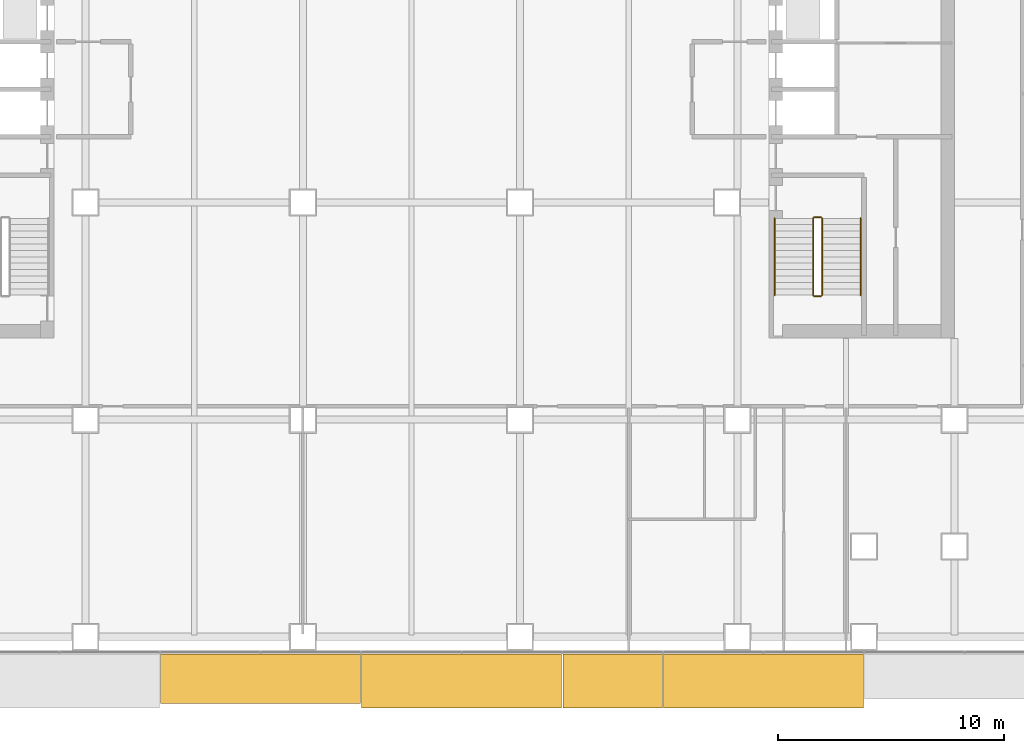
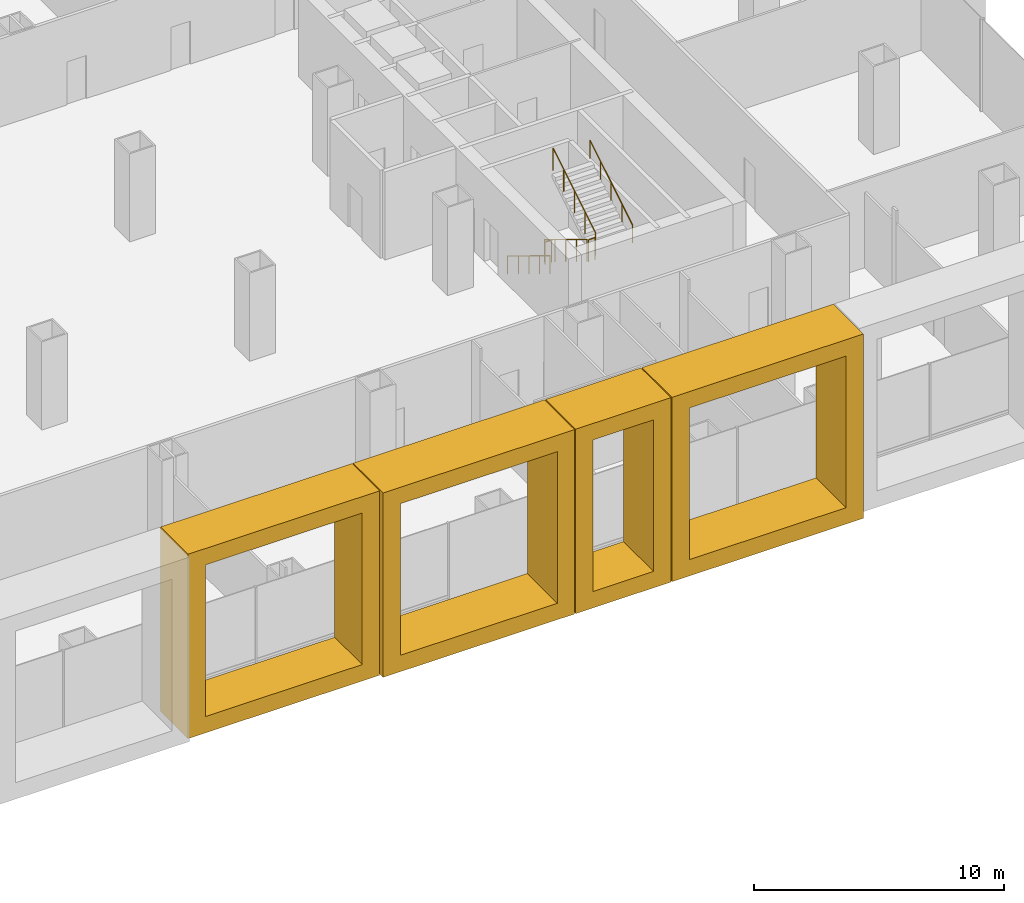
# One storey, part 21 of 23: 6 railings, 4 coverings.
"""IFC4 building model written with IfcOpenShell, lengths in metres."""

from ifc_helpers import new_model, si_unit, direction, frame, origin, origin_2d, place, context, subcontext, project, spatial, polyline, circle, outline, extrude, material, type_object, element, save


model = new_model("IFC4")

# Units and contexts
model_context = context("Model", 3, precision=1e-05, world=origin(), true_north=direction((0.0, 1.0)))
body_context = subcontext(model_context, "Body", "Model", "MODEL_VIEW")
ifc_project = project(units=[si_unit("LENGTHUNIT", "METRE"), si_unit("AREAUNIT", "SQUARE_METRE"), si_unit("VOLUMEUNIT", "CUBIC_METRE"), si_unit("PLANEANGLEUNIT", "RADIAN"), si_unit("MASSUNIT", "GRAM", prefix="KILO")], contexts=[model_context])

# Site, building, storey
site_placement = place(None, origin())
site = spatial("IfcSite", under=ifc_project, at=site_placement, CompositionType="ELEMENT")
building_placement = place(site_placement, origin())
building = spatial("IfcBuilding", under=site, at=building_placement, Name="Cobrizo Arcos Hotel Tower", CompositionType="ELEMENT")
storey_placement = place(building_placement, frame((0.0, 0.0, 15.5)))
storey = spatial("IfcBuildingStorey", under=building, at=storey_placement, Name="L02", CompositionType="ELEMENT", Elevation=15.5)

# Coverings
ifc_material_1 = material(Name="Aluminium 6063-T6 anodised bronze", Category="aluminium")
covering_type_1 = type_object("IfcCoveringType", Name="FIN-F 2200", PredefinedType="CLADDING", material=ifc_material_1)
covering_1_placement = place(storey_placement, frame((-11.086181640625, -24.75, 0.0), z_axis=(0.0, -1.0, 0.0), x_axis=(1.0, 0.0, 0.0)))
element("IfcCovering", 1, at=covering_1_placement, inside=storey, type_object=covering_type_1, Name="Fin frame 493", PredefinedType="CLADDING", context=body_context, shape_type="SweptSolid", body=[
    extrude(outline(polyline([(0.0, 9.0), (0.0, 0.0), (8.8388671875, 0.0), (8.8388671875, 9.0), (0.0, 9.0)]), holes=[polyline([(8.038818359375, 0.800048828125), (0.800048828125, 0.800048828125), (0.800048828125, 8.199951171875), (8.038818359375, 8.199951171875), (8.038818359375, 0.800048828125)])]), origin(), (0.0, 0.0, 1.0), 2.199951171875),
])
covering_type_2 = type_object("IfcCoveringType", Name="FIN-F 2400", PredefinedType="CLADDING", material=ifc_material_1)
covering_2_placement = place(storey_placement, frame((-2.197265625, -24.75, 0.0), z_axis=(0.0, -1.0, 0.0), x_axis=(1.0, 0.0, 0.0)))
element("IfcCovering", 2, at=covering_2_placement, inside=storey, type_object=covering_type_2, Name="Fin frame 494", PredefinedType="CLADDING", context=body_context, shape_type="SweptSolid", body=[
    extrude(outline(polyline([(0.0, 9.0), (0.0, 0.0), (8.8388671875, 0.0), (8.8388671875, 9.0), (0.0, 9.0)]), holes=[polyline([(8.038818359375, 0.800048828125), (0.800048828125, 0.800048828125), (0.800048828125, 8.199951171875), (8.038818359375, 8.199951171875), (8.038818359375, 0.800048828125)])]), origin(), (0.0, 0.0, 1.0), 2.39990234375),
])
covering_3_placement = place(storey_placement, frame((6.691650390625, -24.75, 0.0), z_axis=(0.0, -1.0, 0.0), x_axis=(1.0, 0.0, 0.0)))
element("IfcCovering", 3, at=covering_3_placement, inside=storey, type_object=covering_type_2, Name="Fin frame 495", PredefinedType="CLADDING", context=body_context, shape_type="SweptSolid", body=[
    extrude(outline(polyline([(0.0, 9.0), (0.0, 0.0), (4.394287109375, 0.0), (4.394287109375, 9.0), (0.0, 9.0)]), holes=[polyline([(3.594482421875, 0.800048828125), (0.800048828125, 0.800048828125), (0.800048828125, 8.199951171875), (3.594482421875, 8.199951171875), (3.594482421875, 0.800048828125)])]), origin(), (0.0, 0.0, 1.0), 2.39990234375),
])
covering_4_placement = place(storey_placement, frame((11.135986328125, -24.75, 0.0), z_axis=(0.0, -1.0, 0.0), x_axis=(1.0, 0.0, 0.0)))
element("IfcCovering", 4, at=covering_4_placement, inside=storey, type_object=covering_type_2, Name="Fin frame 496", PredefinedType="CLADDING", context=body_context, shape_type="SweptSolid", body=[
    extrude(outline(polyline([(0.0, 9.0), (0.0, 0.0), (8.8388671875, 0.0), (8.8388671875, 9.0), (0.0, 9.0)]), holes=[polyline([(8.038818359375, 0.800048828125), (0.800048828125, 0.800048828125), (0.800048828125, 8.199951171875), (8.038818359375, 8.199951171875), (8.038818359375, 0.800048828125)])]), origin(), (0.0, 0.0, 1.0), 2.39990234375),
])

# Railings
ifc_material_2 = material(Name="Stainless steel railing", Category="steel")
railing_type_1 = type_object("IfcRailingType", Name="Stair guard 1100", PredefinedType="GUARDRAIL", material=ifc_material_2)
railing_1_placement = place(storey_placement, frame((17.75, -5.5, 0.173095703125)))
element("IfcRailing", 5, at=railing_1_placement, inside=storey, type_object=railing_type_1, Name="L02 ST-E stair guard 1", PredefinedType="GUARDRAIL", context=body_context, shape_type="SweptSolid", body=[
    extrude(circle(Radius=0.02392578125, at=origin_2d()), frame((0.0, 0.0, 1.076171875), z_axis=(0.0, -0.853372706543, 0.52130127923), x_axis=(1.0, 0.0, 0.0)), (0.0, 0.0, 1.0), 3.984130859375),
    extrude(circle(Radius=0.02099609375, at=origin_2d()), origin(), (0.0, 0.0, 1.0), 1.052001953125),
    extrude(circle(Radius=0.02099609375, at=origin_2d()), frame((0.0, -0.85009765625, 0.519287109375)), (0.0, 0.0, 1.0), 1.052001953125),
    extrude(circle(Radius=0.02099609375, at=origin_2d()), frame((0.0, -1.699951171875, 1.03857421875)), (0.0, 0.0, 1.0), 1.052001953125),
    extrude(circle(Radius=0.02099609375, at=origin_2d()), frame((0.0, -2.5498046875, 1.5576171875)), (0.0, 0.0, 1.0), 1.052001953125),
    extrude(circle(Radius=0.02099609375, at=origin_2d()), frame((0.0, -3.39990234375, 2.076904296875)), (0.0, 0.0, 1.0), 1.052001953125),
])
railing_2_placement = place(storey_placement, frame((17.800048828125, -8.949951171875, 2.25)))
element("IfcRailing", 6, at=railing_2_placement, inside=storey, type_object=railing_type_1, Name="L02 ST-E stair guard 2", PredefinedType="GUARDRAIL", context=body_context, shape_type="SweptSolid", body=[
    extrude(circle(Radius=0.02392578125, at=origin_2d()), frame((0.0, 0.0, 1.076171875), z_axis=(1.0, 0.0, 0.0), x_axis=(0.0, 1.0, 0.0)), (0.0, 0.0, 1.0), 0.300048828125),
    extrude(circle(Radius=0.02099609375, at=origin_2d()), origin(), (0.0, 0.0, 1.0), 1.052001953125),
    extrude(circle(Radius=0.02099609375, at=origin_2d()), frame((0.300048828125, 0.0, 0.0)), (0.0, 0.0, 1.0), 1.052001953125),
])
railing_3_placement = place(storey_placement, frame((18.14990234375, -8.89990234375, 2.423095703125)))
element("IfcRailing", 7, at=railing_3_placement, inside=storey, type_object=railing_type_1, Name="L02 ST-E stair guard 3", PredefinedType="GUARDRAIL", context=body_context, shape_type="SweptSolid", body=[
    extrude(circle(Radius=0.02392578125, at=origin_2d()), frame((0.0, 0.0, 1.076171875), z_axis=(0.0, 0.853372706543, 0.52130127923), x_axis=(-1.0, 0.0, 0.0)), (0.0, 0.0, 1.0), 3.984130859375),
    extrude(circle(Radius=0.02099609375, at=origin_2d()), origin(), (0.0, 0.0, 1.0), 1.052001953125),
    extrude(circle(Radius=0.02099609375, at=origin_2d()), frame((0.0, 0.85009765625, 0.519287109375)), (0.0, 0.0, 1.0), 1.052001953125),
    extrude(circle(Radius=0.02099609375, at=origin_2d()), frame((0.0, 1.699951171875, 1.03857421875)), (0.0, 0.0, 1.0), 1.052001953125),
    extrude(circle(Radius=0.02099609375, at=origin_2d()), frame((0.0, 2.5498046875, 1.5576171875)), (0.0, 0.0, 1.0), 1.052001953125),
    extrude(circle(Radius=0.02099609375, at=origin_2d()), frame((0.0, 3.39990234375, 2.076904296875)), (0.0, 0.0, 1.0), 1.052001953125),
])
railing_4_placement = place(storey_placement, frame((17.800048828125, -5.449951171875, 0.0)))
element("IfcRailing", 8, at=railing_4_placement, inside=storey, type_object=railing_type_1, Name="L02 ST-E stair guard 4", PredefinedType="GUARDRAIL", context=body_context, shape_type="SweptSolid", body=[
    extrude(circle(Radius=0.02392578125, at=origin_2d()), frame((0.0, 0.0, 1.076171875), z_axis=(1.0, 0.0, 0.0), x_axis=(0.0, 1.0, 0.0)), (0.0, 0.0, 1.0), 0.300048828125),
    extrude(circle(Radius=0.02099609375, at=origin_2d()), origin(), (0.0, 0.0, 1.0), 1.052001953125),
    extrude(circle(Radius=0.02099609375, at=origin_2d()), frame((0.300048828125, 0.0, 0.0)), (0.0, 0.0, 1.0), 1.052001953125),
])
railing_type_2 = type_object("IfcRailingType", Name="Stair handrail", PredefinedType="HANDRAIL", material=ifc_material_2)
railing_5_placement = place(storey_placement, frame((16.050048828125, -5.5, 0.173095703125)))
element("IfcRailing", 9, at=railing_5_placement, inside=storey, type_object=railing_type_2, Name="L02 ST-E stair handrail 1", PredefinedType="HANDRAIL", context=body_context, shape_type="SweptSolid", body=[
    extrude(circle(Radius=0.02392578125, at=origin_2d()), frame((0.0, 0.0, 0.8759765625), z_axis=(0.0, -0.853372706543, 0.52130127923), x_axis=(1.0, 0.0, 0.0)), (0.0, 0.0, 1.0), 3.984130859375),
    extrude(circle(Radius=0.02099609375, at=origin_2d()), origin(), (0.0, 0.0, 1.0), 0.851806640625),
    extrude(circle(Radius=0.02099609375, at=origin_2d()), frame((0.0, -0.85009765625, 0.519287109375)), (0.0, 0.0, 1.0), 0.851806640625),
    extrude(circle(Radius=0.02099609375, at=origin_2d()), frame((0.0, -1.699951171875, 1.03857421875)), (0.0, 0.0, 1.0), 0.851806640625),
    extrude(circle(Radius=0.02099609375, at=origin_2d()), frame((0.0, -2.5498046875, 1.5576171875)), (0.0, 0.0, 1.0), 0.851806640625),
    extrude(circle(Radius=0.02099609375, at=origin_2d()), frame((0.0, -3.39990234375, 2.076904296875)), (0.0, 0.0, 1.0), 0.851806640625),
])
railing_6_placement = place(storey_placement, frame((19.85009765625, -8.89990234375, 2.423095703125)))
element("IfcRailing", 10, at=railing_6_placement, inside=storey, type_object=railing_type_2, Name="L02 ST-E stair handrail 2", PredefinedType="HANDRAIL", context=body_context, shape_type="SweptSolid", body=[
    extrude(circle(Radius=0.02392578125, at=origin_2d()), frame((0.0, 0.0, 0.8759765625), z_axis=(0.0, 0.853372706543, 0.52130127923), x_axis=(-1.0, 0.0, 0.0)), (0.0, 0.0, 1.0), 3.984130859375),
    extrude(circle(Radius=0.02099609375, at=origin_2d()), origin(), (0.0, 0.0, 1.0), 0.851806640625),
    extrude(circle(Radius=0.02099609375, at=origin_2d()), frame((0.0, 0.85009765625, 0.519287109375)), (0.0, 0.0, 1.0), 0.851806640625),
    extrude(circle(Radius=0.02099609375, at=origin_2d()), frame((0.0, 1.699951171875, 1.03857421875)), (0.0, 0.0, 1.0), 0.851806640625),
    extrude(circle(Radius=0.02099609375, at=origin_2d()), frame((0.0, 2.5498046875, 1.5576171875)), (0.0, 0.0, 1.0), 0.851806640625),
    extrude(circle(Radius=0.02099609375, at=origin_2d()), frame((0.0, 3.39990234375, 2.076904296875)), (0.0, 0.0, 1.0), 0.851806640625),
])

save(model, "model.ifc")
